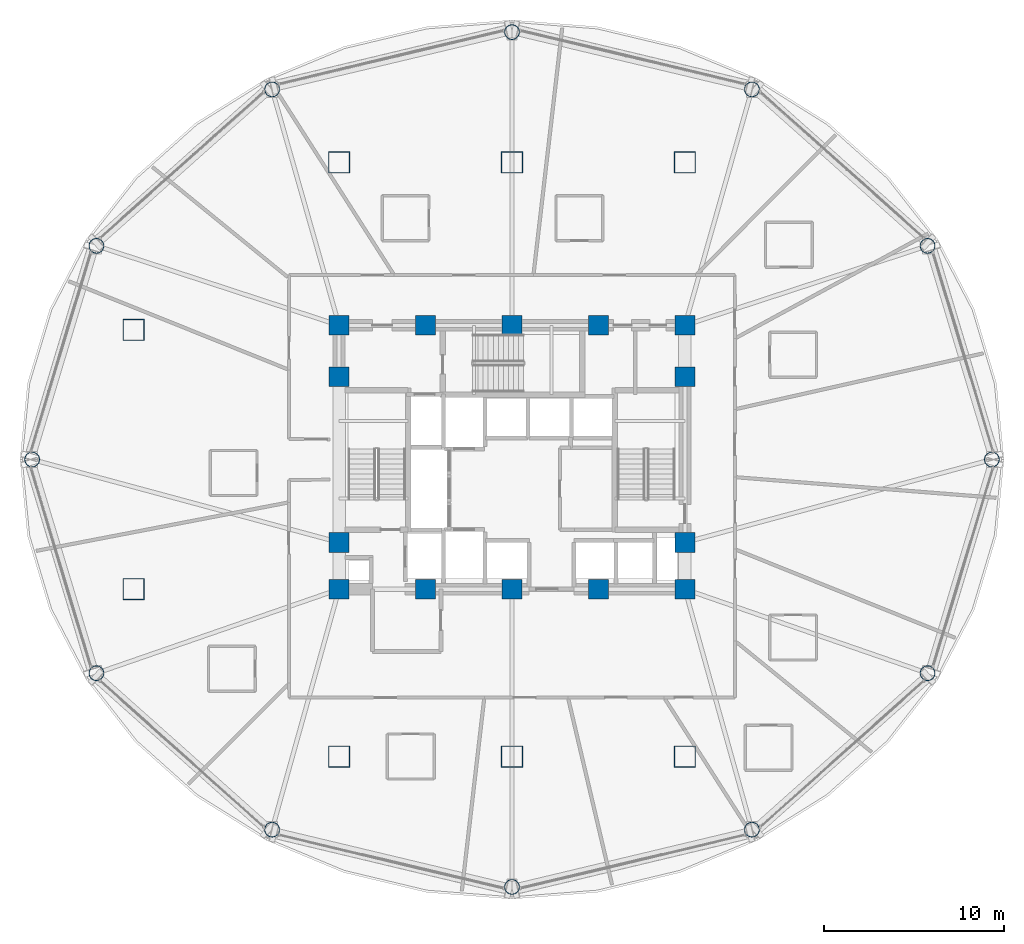
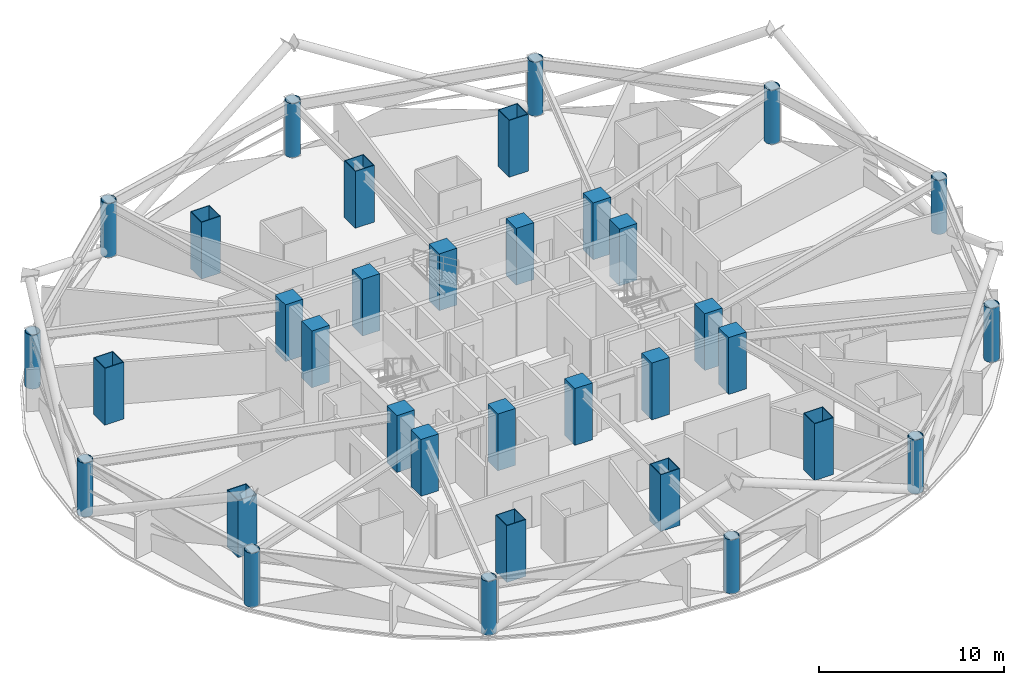
# One storey, part 1 of 31: 34 columns.
"""IFC4 building model written with IfcOpenShell, lengths in metres."""

from ifc_helpers import new_model, si_unit, direction, frame, origin, origin_2d, place, context, subcontext, project, spatial, rectangle, hollow_rectangle, hollow_circle, extrude, material, material_profile, profile_set, type_object, element, save


model = new_model("IFC4")

# Units and contexts
model_context = context("Model", 3, precision=1e-05, world=origin(), true_north=direction((0.0, 1.0)))
body_context = subcontext(model_context, "Body", "Model", "MODEL_VIEW")
ifc_project = project(units=[si_unit("LENGTHUNIT", "METRE"), si_unit("AREAUNIT", "SQUARE_METRE"), si_unit("VOLUMEUNIT", "CUBIC_METRE"), si_unit("PLANEANGLEUNIT", "RADIAN"), si_unit("MASSUNIT", "GRAM", prefix="KILO")], contexts=[model_context])

# Site, building, storey
site_placement = place(None, origin())
site = spatial("IfcSite", under=ifc_project, at=site_placement, CompositionType="ELEMENT")
building_placement = place(site_placement, origin())
building = spatial("IfcBuilding", under=site, at=building_placement, Name="Vantalir Tower", CompositionType="ELEMENT")
storey_placement = place(building_placement, frame((0.0, 0.0, 42.0)))
storey = spatial("IfcBuildingStorey", under=building, at=storey_placement, Name="L09", CompositionType="ELEMENT", Elevation=42.0)

# Columns
ifc_material_1 = material(Name="Concrete C60/75", Category="concrete")
ifc_material_profile_1 = material_profile(ifc_material_1, rectangle(XDim=1.10009765625, YDim=1.10009765625, at=origin_2d()), Name="Concrete C60/75")
ifc_profile_set_1 = profile_set([ifc_material_profile_1], Name="Concrete C60/75")
column_type_1 = type_object("IfcColumnType", Name="COL-CC-1100", PredefinedType="COLUMN", material=ifc_profile_set_1)
for number, where, z_axis, x_axis, name in (
    (1, (21.89990234375, 17.800048828125, 0.0), (0.0, 0.0, 1.0), (1.0, 0.0, 0.0), "L09 Core Column CC01"),
    (2, (26.699951171875, 17.800048828125, 0.0), (0.0, 0.0, 1.0), (1.0, 0.0, 0.0), "L09 Core Column CC02"),
    (3, (31.5, 17.800048828125, 0.0), (0.0, 0.0, 1.0), (1.0, 0.0, 0.0), "L09 Core Column CC03"),
    (4, (36.300048828125, 17.800048828125, 0.0), (0.0, 0.0, 1.0), (1.0, 0.0, 0.0), "L09 Core Column CC04"),
    (5, (41.10009765625, 17.800048828125, 0.0), (0.0, 0.0, 1.0), (1.0, 0.0, 0.0), "L09 Core Column CC05"),
    (6, (21.89990234375, 20.39990234375, 0.0), (0.0, 0.0, 1.0), (1.0, 0.0, 0.0), "L09 Core Column CC06"),
    (7, (21.89990234375, 29.60009765625, 0.0), (0.0, 0.0, 1.0), (1.0, 0.0, 0.0), "L09 Core Column CC07"),
    (8, (41.10009765625, 20.39990234375, 0.0), (0.0, 0.0, 1.0), (1.0, 0.0, 0.0), "L09 Core Column CC08"),
    (9, (41.10009765625, 29.60009765625, 0.0), (0.0, 0.0, 1.0), (1.0, 0.0, 0.0), "L09 Core Column CC09"),
    (10, (21.89990234375, 32.449951171875, 0.0), (0.0, 0.0, 1.0), (1.0, 0.0, 0.0), "L09 Core Column CC10"),
    (11, (26.699951171875, 32.449951171875, 0.0), (0.0, 0.0, 1.0), (1.0, 0.0, 0.0), "L09 Core Column CC11"),
    (12, (31.5, 32.449951171875, 0.0), (0.0, 0.0, 1.0), (1.0, 0.0, 0.0), "L09 Core Column CC12"),
    (13, (36.300048828125, 32.449951171875, 0.0), (0.0, 0.0, 1.0), (1.0, 0.0, 0.0), "L09 Core Column CC13"),
    (14, (41.10009765625, 32.449951171875, 0.0), (0.0, 0.0, 1.0), (1.0, 0.0, 0.0), "L09 Core Column CC14"),
):
    element("IfcColumn", number, at=place(storey_placement, frame(where, z_axis=z_axis, x_axis=x_axis)), inside=storey, type_object=column_type_1, Name=name, PredefinedType="COLUMN", context=body_context, shape_type="SweptSolid", body=[
        extrude(rectangle(XDim=1.10009765625, YDim=1.10009765625, at=origin_2d()), origin(), (0.0, 0.0, 1.0), 3.75),
    ])
ifc_material_2 = material(Name="Steel S460", Category="steel")
ifc_material_profile_2 = material_profile(ifc_material_2, hollow_rectangle(XDim=1.199951171875, YDim=1.199951171875, WallThickness=0.044921875, at=origin_2d()), Name="Steel S460")
ifc_profile_set_2 = profile_set([ifc_material_profile_2], Name="Steel S460")
column_type_2 = type_object("IfcColumnType", Name="COL-MC-1200", PredefinedType="COLUMN", material=ifc_profile_set_2)
for number, where, z_axis, x_axis, name in (
    (15, (21.89990234375, 8.5, 0.0), (0.0, 0.0, 1.0), (1.0, 0.0, 0.0), "L09 S460 Mega-Column MC01"),
    (16, (31.5, 8.5, 0.0), (0.0, 0.0, 1.0), (1.0, 0.0, 0.0), "L09 S460 Mega-Column MC02"),
    (17, (41.10009765625, 8.5, 0.0), (0.0, 0.0, 1.0), (1.0, 0.0, 0.0), "L09 S460 Mega-Column MC03"),
    (18, (10.5, 17.800048828125, 0.0), (0.0, 0.0, 1.0), (1.0, 0.0, 0.0), "L09 S460 Mega-Column MC04"),
    (19, (10.5, 32.199951171875, 0.0), (0.0, 0.0, 1.0), (1.0, 0.0, 0.0), "L09 S460 Mega-Column MC05"),
    (20, (21.89990234375, 41.5, 0.0), (0.0, 0.0, 1.0), (1.0, 0.0, 0.0), "L09 S460 Mega-Column MC06"),
    (21, (31.5, 41.5, 0.0), (0.0, 0.0, 1.0), (1.0, 0.0, 0.0), "L09 S460 Mega-Column MC07"),
    (22, (41.10009765625, 41.5, 0.0), (0.0, 0.0, 1.0), (1.0, 0.0, 0.0), "L09 S460 Mega-Column MC08"),
):
    element("IfcColumn", number, at=place(storey_placement, frame(where, z_axis=z_axis, x_axis=x_axis)), inside=storey, type_object=column_type_2, Name=name, PredefinedType="COLUMN", context=body_context, shape_type="SweptSolid", body=[
        extrude(hollow_rectangle(XDim=1.199951171875, YDim=1.199951171875, WallThickness=0.044921875, at=origin_2d()), origin(), (0.0, 0.0, 1.0), 3.75),
    ])
ifc_material_profile_3 = material_profile(ifc_material_2, hollow_circle(Radius=0.425048828125, WallThickness=0.0400390625, at=origin_2d()), Name="Steel S460")
ifc_profile_set_3 = profile_set([ifc_material_profile_3], Name="Steel S460")
column_type_3 = type_object("IfcColumnType", Name="COL-RC-850", PredefinedType="COLUMN", material=ifc_profile_set_3)
for number, where, z_axis, x_axis, name in (
    (23, (58.138916015625, 25.0, 0.0), (0.0, 0.0, 1.0), (1.0, 0.0, 0.0), "L09 Perimeter Ring Column RC01"),
    (24, (54.570068359375, 36.863037109375, 0.0), (0.0, 0.0, 1.0), (1.0, 0.0, 0.0), "L09 Perimeter Ring Column RC02"),
    (25, (44.820068359375, 45.547119140625, 0.0), (0.0, 0.0, 1.0), (1.0, 0.0, 0.0), "L09 Perimeter Ring Column RC03"),
    (26, (31.5, 48.72607421875, 0.0), (0.0, 0.0, 1.0), (1.0, 0.0, 0.0), "L09 Perimeter Ring Column RC04"),
    (27, (18.180908203125, 45.547119140625, 0.0), (0.0, 0.0, 1.0), (1.0, 0.0, 0.0), "L09 Perimeter Ring Column RC05"),
    (28, (8.429931640625, 36.863037109375, 0.0), (0.0, 0.0, 1.0), (1.0, 0.0, 0.0), "L09 Perimeter Ring Column RC06"),
    (29, (4.861083984375, 25.0, 0.0), (0.0, 0.0, 1.0), (1.0, 0.0, 0.0), "L09 Perimeter Ring Column RC07"),
    (30, (8.429931640625, 13.136962890625, 0.0), (0.0, 0.0, 1.0), (1.0, 0.0, 0.0), "L09 Perimeter Ring Column RC08"),
    (31, (18.179931640625, 4.452880859375, 0.0), (0.0, 0.0, 1.0), (1.0, 0.0, 0.0), "L09 Perimeter Ring Column RC09"),
    (32, (31.5, 1.27392578125, 0.0), (0.0, 0.0, 1.0), (1.0, 0.0, 0.0), "L09 Perimeter Ring Column RC10"),
    (33, (44.820068359375, 4.452880859375, 0.0), (0.0, 0.0, 1.0), (1.0, 0.0, 0.0), "L09 Perimeter Ring Column RC11"),
    (34, (54.570068359375, 13.136962890625, 0.0), (0.0, 0.0, 1.0), (1.0, 0.0, 0.0), "L09 Perimeter Ring Column RC12"),
):
    element("IfcColumn", number, at=place(storey_placement, frame(where, z_axis=z_axis, x_axis=x_axis)), inside=storey, type_object=column_type_3, Name=name, PredefinedType="COLUMN", context=body_context, shape_type="SweptSolid", body=[
        extrude(hollow_circle(Radius=0.425048828125, WallThickness=0.0400390625, at=origin_2d()), origin(), (0.0, 0.0, 1.0), 3.570068359375),
    ])

save(model, "model.ifc")
